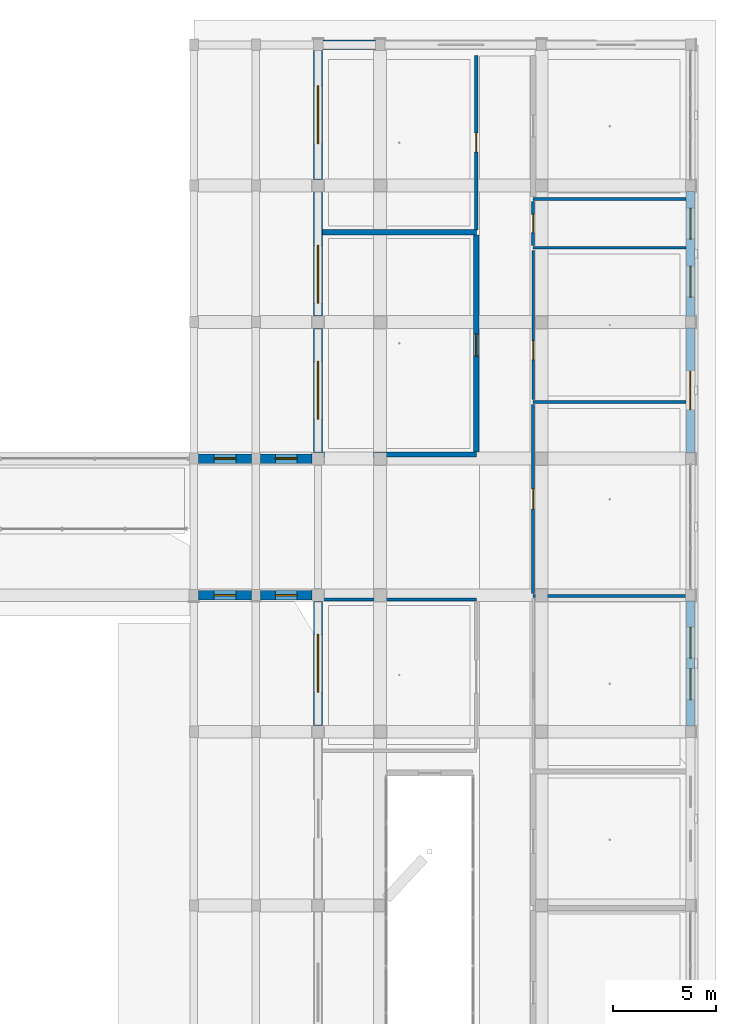
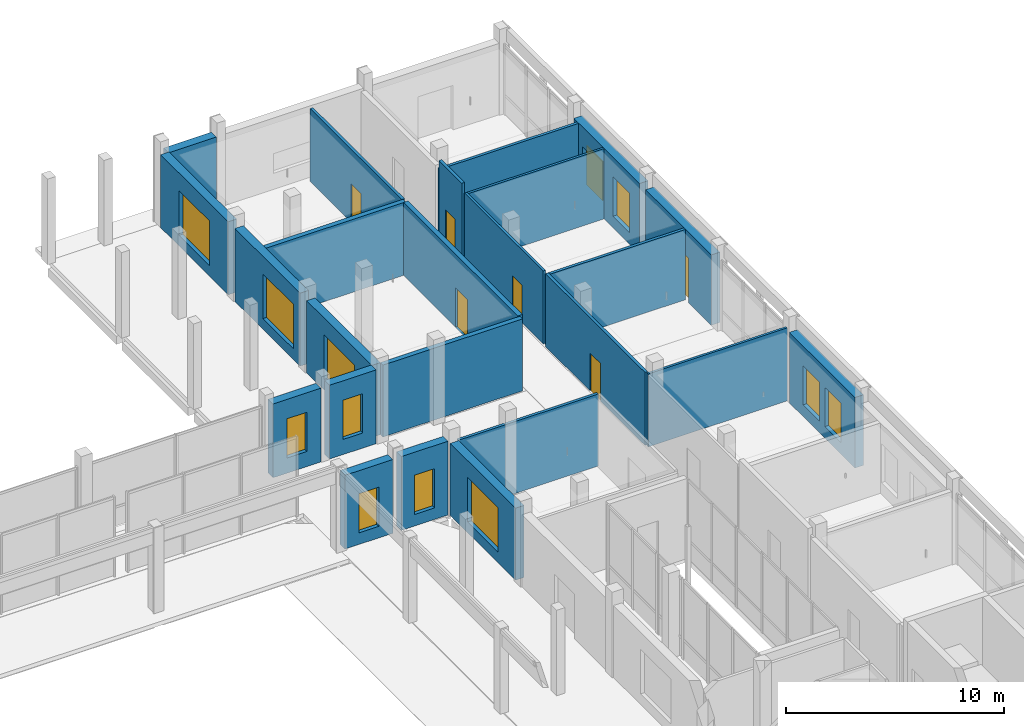
# One storey, part 55 of 88: 24 walls, 12 windows, 6 doors, 18 openings.
"""IFC4 building model written with IfcOpenShell, lengths in metres."""

from ifc_helpers import new_model, si_unit, derived_unit, direction, frame, frame_2d, origin, origin_with_axes, place, context, subcontext, project, spatial, rectangle, extrude, material, layer, layer_set, type_object, element, fill, save


model = new_model("IFC4")

# Units and contexts
model_context = context("Model", 3, precision=1e-05, world=origin(), true_north=direction((0.0, 1.0)))
body_context = subcontext(model_context, "Body", "Model", "MODEL_VIEW")
ifc_project = project(units=[si_unit("LENGTHUNIT", "METRE"), si_unit("AREAUNIT", "SQUARE_METRE"), si_unit("VOLUMEUNIT", "CUBIC_METRE"), si_unit("PLANEANGLEUNIT", "RADIAN"), si_unit("MASSUNIT", "GRAM", prefix="KILO"), derived_unit("THERMALTRANSMITTANCEUNIT", [(si_unit("POWERUNIT", "WATT"), 1), (si_unit("LENGTHUNIT", "METRE"), -2), (si_unit("THERMODYNAMICTEMPERATUREUNIT", "KELVIN"), -1)])], contexts=[model_context])

# Site, building, storey
site_placement = place(None, origin())
site = spatial("IfcSite", under=ifc_project, at=site_placement, CompositionType="ELEMENT")
building_placement = place(site_placement, origin())
building = spatial("IfcBuilding", under=site, at=building_placement, Name="Braskholm Square Health Centre", CompositionType="ELEMENT")
storey_placement = place(building_placement, origin())
storey = spatial("IfcBuildingStorey", under=building, at=storey_placement, Name="L01", CompositionType="ELEMENT", Elevation=0.0)

# Wall
ifc_material_1 = material(Name="Acoustic gypsum board partition")
ifc_layer_1 = layer(ifc_material_1, 0.125)
ifc_layer_set_1 = layer_set([ifc_layer_1], Name="Acoustic gypsum board partition")
wall_type_1 = type_object("IfcWallType", Name="ClinicalExamPartition125", PredefinedType="PARTITIONING", material=ifc_layer_set_1)
wall_1_placement = place(storey_placement, frame((156.199951171875, 87.159912109375, 0.0), z_axis=(0.0, 0.0, 1.0), x_axis=(1.0, 0.0, 0.0)))
element("IfcWall", 1, at=wall_1_placement, inside=storey, type_object=wall_type_1, Name="Interior partition PWALL-L01-0309", PredefinedType="PARTITIONING", context=body_context, shape_type="SweptSolid", body=[
    extrude(rectangle(XDim=7.375, YDim=0.125, at=frame_2d((3.6875, 0.0))), origin(), (0.0, 0.0, 1.0), 4.094970703125),
])

# Wall, opening, door
wall_2_placement = place(storey_placement, frame((156.199951171875, 96.64990234375, 0.0), z_axis=(0.0, 0.0, 1.0), x_axis=(0.0, 1.0, 0.0)))
wall_2 = element("IfcWall", 2, at=wall_2_placement, inside=storey, type_object=wall_type_1, Name="Interior partition PWALL-L01-0312", PredefinedType="PARTITIONING", context=body_context, shape_type="SweptSolid", body=[
    extrude(rectangle(XDim=7.22021484375, YDim=0.125, at=frame_2d((3.610107421875, 0.0))), origin(), (0.0, 0.0, 1.0), 4.094970703125),
])
opening_1_placement = place(wall_2_placement, frame((1.93896484375, 0.0, 0.0)))
opening_1 = element("IfcOpeningElement", 3, at=opening_1_placement, cuts=wall_2, Name="Opening D-07", PredefinedType="OPENING", context=body_context, shape_type="SweptSolid", body=[
    extrude(rectangle(XDim=0.89990234375, YDim=2.1201171875, at=frame_2d((0.449951171875, 1.06005859375))), frame((0.0, 0.072509765625, 0.0), z_axis=(0.0, -1.0, 0.0), x_axis=(1.0, 0.0, 0.0)), (0.0, 0.0, 1.0), 0.14501953125),
])
ifc_material_2 = material(Name="Architectural bronze anodised aluminium", Category="aluminium")
door_type_1 = type_object("IfcDoorType", Name="DoorProviderOffice900x2120", OperationType="NOTDEFINED", PredefinedType="DOOR", material=ifc_material_2)
door_1_placement = place(opening_1_placement, frame((0.89990234375, 0.0, 0.0), z_axis=(0.0, 0.0, 1.0), x_axis=(-1.0, 0.0, 0.0)))
door_1 = element("IfcDoor", 4, at=door_1_placement, inside=storey, type_object=door_type_1, Name="Interior door 0145 L01", OperationType="SINGLE_SWING_RIGHT", OverallHeight=2.1201171875, OverallWidth=0.89990234375, PredefinedType="DOOR", context=body_context, shape_type="SweptSolid", body=[
    extrude(rectangle(XDim=0.89990234375, YDim=2.1201171875, at=frame_2d((0.449951171875, 1.06005859375))), frame((0.0, 0.02490234375, 0.0), z_axis=(0.0, -1.0, 0.0), x_axis=(1.0, 0.0, 0.0)), (0.0, 0.0, 1.0), 0.050048828125),
])
fill(opening_1, door_1)

# Wall
wall_3_placement = place(storey_placement, frame((156.199951171875, 103.989990234375, 0.0), z_axis=(0.0, 0.0, 1.0), x_axis=(1.0, 0.0, 0.0)))
element("IfcWall", 5, at=wall_3_placement, inside=storey, type_object=wall_type_1, Name="Interior partition PWALL-L01-0313", PredefinedType="PARTITIONING", context=body_context, shape_type="SweptSolid", body=[
    extrude(rectangle(XDim=7.375, YDim=0.125, at=frame_2d((3.6875, 0.0))), origin(), (0.0, 0.0, 1.0), 3.945068359375),
])

# Wall, opening, door
ifc_layer_2 = layer(ifc_material_1, 0.14990234375)
ifc_layer_set_2 = layer_set([ifc_layer_2], Name="Acoustic gypsum board partition")
wall_type_2 = type_object("IfcWallType", Name="CorridorAcousticPartition150", PredefinedType="PARTITIONING", material=ifc_layer_set_2)
wall_4_placement = place(storey_placement, frame((156.199951171875, 87.280029296875, 0.0), z_axis=(0.0, 0.0, 1.0), x_axis=(0.0, 1.0, 0.0)))
wall_4 = element("IfcWall", 6, at=wall_4_placement, inside=storey, type_object=wall_type_2, Name="Interior partition PWALL-L01-0310", PredefinedType="PARTITIONING", context=body_context, shape_type="SweptSolid", body=[
    extrude(rectangle(XDim=9.1298828125, YDim=0.14990234375, at=frame_2d((4.56494140625, 0.0))), origin(), (0.0, 0.0, 1.0), 4.094970703125),
])
opening_2_placement = place(wall_4_placement, frame((4.074951171875, 0.0, 0.0)))
opening_2 = element("IfcOpeningElement", 7, at=opening_2_placement, cuts=wall_4, Name="Opening D-10", PredefinedType="OPENING", context=body_context, shape_type="SweptSolid", body=[
    extrude(rectangle(XDim=0.97998046875, YDim=2.1201171875, at=frame_2d((0.489990234375, 1.06005859375))), frame((0.0, 0.0849609375, 0.0), z_axis=(0.0, -1.0, 0.0), x_axis=(1.0, 0.0, 0.0)), (0.0, 0.0, 1.0), 0.169921875),
])
door_type_2 = type_object("IfcDoorType", Name="DoorUtilityStore980x2120", OperationType="NOTDEFINED", PredefinedType="DOOR", material=ifc_material_2)
door_2_placement = place(opening_2_placement, frame((0.97998046875, 0.0, 0.0), z_axis=(0.0, 0.0, 1.0), x_axis=(-1.0, 0.0, 0.0)))
door_2 = element("IfcDoor", 8, at=door_2_placement, inside=storey, type_object=door_type_2, Name="Interior door 0144 L01", OperationType="SINGLE_SWING_LEFT", OverallHeight=2.1201171875, OverallWidth=0.97998046875, PredefinedType="DOOR", context=body_context, shape_type="SweptSolid", body=[
    extrude(rectangle(XDim=0.97998046875, YDim=2.1201171875, at=frame_2d((0.489990234375, 1.06005859375))), frame((0.0, 0.02490234375, 0.0), z_axis=(0.0, -1.0, 0.0), x_axis=(1.0, 0.0, 0.0)), (0.0, 0.0, 1.0), 0.050048828125),
])
fill(opening_2, door_2)

# Wall
wall_5_placement = place(storey_placement, frame((156.199951171875, 96.530029296875, 0.0), z_axis=(0.0, 0.0, 1.0), x_axis=(1.0, 0.0, 0.0)))
element("IfcWall", 9, at=wall_5_placement, inside=storey, type_object=wall_type_2, Name="Interior partition PWALL-L01-0311", PredefinedType="PARTITIONING", context=body_context, shape_type="SweptSolid", body=[
    extrude(rectangle(XDim=7.375, YDim=0.14990234375, at=frame_2d((3.6875, 0.0))), origin(), (0.0, 0.0, 1.0), 3.945068359375),
])

# Wall, opening, door
wall_6_placement = place(storey_placement, frame((156.199951171875, 104.110107421875, 0.0), z_axis=(0.0, 0.0, 1.0), x_axis=(0.0, 1.0, 0.0)))
wall_6 = element("IfcWall", 10, at=wall_6_placement, inside=storey, type_object=wall_type_2, Name="Interior partition PWALL-L01-0314", PredefinedType="PARTITIONING", context=body_context, shape_type="SweptSolid", body=[
    extrude(rectangle(XDim=2.10986328125, YDim=0.14990234375, at=frame_2d((1.054931640625, 0.0))), origin(), (0.0, 0.0, 1.0), 4.4951171875),
])
opening_3_placement = place(wall_6_placement, frame((0.614990234375, 0.0, 0.0)))
opening_3 = element("IfcOpeningElement", 11, at=opening_3_placement, cuts=wall_6, Name="Opening D-06", PredefinedType="OPENING", context=body_context, shape_type="SweptSolid", body=[
    extrude(rectangle(XDim=0.8798828125, YDim=2.10009765625, at=frame_2d((0.43994140625, 1.050048828125))), frame((0.0, 0.0849609375, 0.0), z_axis=(0.0, -1.0, 0.0), x_axis=(1.0, 0.0, 0.0)), (0.0, 0.0, 1.0), 0.169921875),
])
door_type_3 = type_object("IfcDoorType", Name="DoorStaffWC880x2100", OperationType="NOTDEFINED", PredefinedType="DOOR", material=ifc_material_2)
door_3_placement = place(opening_3_placement, frame((0.8798828125, 0.0, 0.0), z_axis=(0.0, 0.0, 1.0), x_axis=(-1.0, 0.0, 0.0)))
door_3 = element("IfcDoor", 12, at=door_3_placement, inside=storey, type_object=door_type_3, Name="Interior door 0146 L01", OperationType="SINGLE_SWING_LEFT", OverallHeight=2.10009765625, OverallWidth=0.8798828125, PredefinedType="DOOR", context=body_context, shape_type="SweptSolid", body=[
    extrude(rectangle(XDim=0.8798828125, YDim=2.10009765625, at=frame_2d((0.43994140625, 1.050048828125))), frame((0.0, 0.02490234375, 0.0), z_axis=(0.0, -1.0, 0.0), x_axis=(1.0, 0.0, 0.0)), (0.0, 0.0, 1.0), 0.050048828125),
])
fill(opening_3, door_3)

# Walls
wall_7_placement = place(storey_placement, frame((156.199951171875, 106.340087890625, 0.0), z_axis=(0.0, 0.0, 1.0), x_axis=(1.0, 0.0, 0.0)))
element("IfcWall", 13, at=wall_7_placement, inside=storey, type_object=wall_type_2, Name="Interior partition PWALL-L01-0315", PredefinedType="PARTITIONING", context=body_context, shape_type="SweptSolid", body=[
    extrude(rectangle(XDim=7.375, YDim=0.14990234375, at=frame_2d((3.6875, 0.0))), origin(), (0.0, 0.0, 1.0), 3.945068359375),
])
wall_8_placement = place(storey_placement, frame((146.02490234375, 87.0, 0.0), z_axis=(0.0, 0.0, 1.0), x_axis=(1.0, 0.0, 0.0)))
element("IfcWall", 14, at=wall_8_placement, inside=storey, type_object=wall_type_2, Name="Interior partition PWALL-L01-0330", PredefinedType="PARTITIONING", context=body_context, shape_type="SweptSolid", body=[
    extrude(rectangle(XDim=7.425048828125, YDim=0.14990234375, at=frame_2d((3.71240234375, 0.0))), origin(), (0.0, 0.0, 1.0), 4.034912109375),
])

# Wall, opening, door
wall_9_placement = place(storey_placement, frame((153.449951171875, 104.860107421875, 0.0), z_axis=(0.0, 0.0, 1.0), x_axis=(0.0, 1.0, 0.0)))
wall_9 = element("IfcWall", 15, at=wall_9_placement, inside=storey, type_object=wall_type_2, Name="Interior partition PWALL-L01-0334", PredefinedType="PARTITIONING", context=body_context, shape_type="SweptSolid", body=[
    extrude(rectangle(XDim=8.419921875, YDim=0.14990234375, at=frame_2d((4.2099609375, 0.0))), origin(), (0.0, 0.0, 1.0), 4.094970703125),
])
opening_4_placement = place(wall_9_placement, frame((3.75, 0.0, 0.0)))
opening_4 = element("IfcOpeningElement", 16, at=opening_4_placement, cuts=wall_9, Name="Opening D-01", PredefinedType="OPENING", context=body_context, shape_type="SweptSolid", body=[
    extrude(rectangle(XDim=0.919921875, YDim=2.14990234375, at=frame_2d((0.4599609375, 1.074951171875))), frame((0.0, 0.0849609375, 0.0), z_axis=(0.0, -1.0, 0.0), x_axis=(1.0, 0.0, 0.0)), (0.0, 0.0, 1.0), 0.169921875),
])
door_type_4 = type_object("IfcDoorType", Name="DoorConsultSingle920x2150", OperationType="NOTDEFINED", PredefinedType="DOOR", material=ifc_material_2)
door_4_placement = place(opening_4_placement, origin_with_axes())
door_4 = element("IfcDoor", 17, at=door_4_placement, inside=storey, type_object=door_type_4, Name="Interior door 0155 L01", OperationType="SINGLE_SWING_RIGHT", OverallHeight=2.14990234375, OverallWidth=0.919921875, PredefinedType="DOOR", context=body_context, shape_type="SweptSolid", body=[
    extrude(rectangle(XDim=0.919921875, YDim=2.14990234375, at=frame_2d((0.4599609375, 1.074951171875))), frame((0.0, 0.02490234375, 0.0), z_axis=(0.0, -1.0, 0.0), x_axis=(1.0, 0.0, 0.0)), (0.0, 0.0, 1.0), 0.050048828125),
])
fill(opening_4, door_4)

# Wall, openings, windows
ifc_material_3 = material(Name="Mankato-Kasota dolomitic limestone ashlar", Category="masonry")
ifc_layer_3 = layer(ifc_material_3, 0.449951171875)
ifc_layer_set_3 = layer_set([ifc_layer_3], Name="Mankato-Kasota dolomitic limestone ashlar")
wall_type_3 = type_object("IfcWallType", Name="ExteriorKasotaWall450", PredefinedType="SOLIDWALL", material=ifc_layer_set_3)
wall_10_placement = place(storey_placement, frame((163.800048828125, 80.882080078125, 0.0), z_axis=(0.0, 0.0, 1.0), x_axis=(0.0, 1.0, 0.0)))
wall_10 = element("IfcWall", 18, at=wall_10_placement, inside=storey, type_object=wall_type_3, Name="Exterior wall EWALL-L01-0059", PredefinedType="SOLIDWALL", context=body_context, shape_type="SweptSolid", body=[
    extrude(rectangle(XDim=6.035888671875, YDim=0.449951171875, at=frame_2d((3.01806640625, 0.0))), origin(), (0.0, 0.0, 1.0), 3.949951171875),
])
opening_5_placement = place(wall_10_placement, frame((1.261962890625, 0.0, 0.64990234375)))
opening_5 = element("IfcOpeningElement", 19, at=opening_5_placement, cuts=wall_10, Name="Opening WN-03", PredefinedType="OPENING", context=body_context, shape_type="SweptSolid", body=[
    extrude(rectangle(XDim=1.5, YDim=2.199951171875, at=frame_2d((0.75, 1.10009765625))), frame((0.0, 0.23486328125, 0.0), z_axis=(0.0, -1.0, 0.0), x_axis=(1.0, 0.0, 0.0)), (0.0, 0.0, 1.0), 0.469970703125),
])
opening_6_placement = place(wall_10_placement, frame((3.27392578125, 0.0, 0.64990234375)))
opening_6 = element("IfcOpeningElement", 20, at=opening_6_placement, cuts=wall_10, Name="Opening WN-03", PredefinedType="OPENING", context=body_context, shape_type="SweptSolid", body=[
    extrude(rectangle(XDim=1.5, YDim=2.199951171875, at=frame_2d((0.75, 1.10009765625))), frame((0.0, 0.23486328125, 0.0), z_axis=(0.0, -1.0, 0.0), x_axis=(1.0, 0.0, 0.0)), (0.0, 0.0, 1.0), 0.469970703125),
])
ifc_material_4 = material(Name="Low-E triple insulating glass (VLT 0.64)", Category="glass")
window_type_1 = type_object("IfcWindowType", Name="WinArtDecoTwin1500x2200", PartitioningType="SINGLE_PANEL", PredefinedType="WINDOW", material=ifc_material_4)
window_1_placement = place(opening_5_placement, origin_with_axes())
window_1 = element("IfcWindow", 21, at=window_1_placement, inside=storey, type_object=window_type_1, Name="Exterior window 0102 L01", OverallHeight=2.199951171875, OverallWidth=1.5, PartitioningType="SINGLE_PANEL", PredefinedType="WINDOW", context=body_context, shape_type="SweptSolid", body=[
    extrude(rectangle(XDim=1.5, YDim=2.199951171875, at=frame_2d((0.75, 1.10009765625))), frame((0.0, 0.030029296875, 0.0), z_axis=(0.0, -1.0, 0.0), x_axis=(1.0, 0.0, 0.0)), (0.0, 0.0, 1.0), 0.06005859375),
])
fill(opening_5, window_1)
window_2_placement = place(opening_6_placement, origin_with_axes())
window_2 = element("IfcWindow", 22, at=window_2_placement, inside=storey, type_object=window_type_1, Name="Exterior window 0103 L01", OverallHeight=2.199951171875, OverallWidth=1.5, PartitioningType="SINGLE_PANEL", PredefinedType="WINDOW", context=body_context, shape_type="SweptSolid", body=[
    extrude(rectangle(XDim=1.5, YDim=2.199951171875, at=frame_2d((0.75, 1.10009765625))), frame((0.0, 0.030029296875, 0.0), z_axis=(0.0, -1.0, 0.0), x_axis=(1.0, 0.0, 0.0)), (0.0, 0.0, 1.0), 0.06005859375),
])
fill(opening_6, window_2)

# Wall, opening, door
wall_11_placement = place(storey_placement, frame((163.800048828125, 94.08203125, 0.0), z_axis=(0.0, 0.0, 1.0), x_axis=(0.0, 1.0, 0.0)))
wall_11 = element("IfcWall", 23, at=wall_11_placement, inside=storey, type_object=wall_type_3, Name="Exterior wall EWALL-L01-0060", PredefinedType="SOLIDWALL", context=body_context, shape_type="SweptSolid", body=[
    extrude(rectangle(XDim=6.035888671875, YDim=0.449951171875, at=frame_2d((3.01806640625, 0.0))), origin(), (0.0, 0.0, 1.0), 3.949951171875),
])
opening_7_placement = place(wall_11_placement, frame((2.087890625, 0.0, 0.0)))
opening_7 = element("IfcOpeningElement", 24, at=opening_7_placement, cuts=wall_11, Name="Opening D-E2", PredefinedType="OPENING", context=body_context, shape_type="SweptSolid", body=[
    extrude(rectangle(XDim=1.860107421875, YDim=2.5, at=frame_2d((0.93017578125, 1.25))), frame((0.0, 0.23486328125, 0.0), z_axis=(0.0, -1.0, 0.0), x_axis=(1.0, 0.0, 0.0)), (0.0, 0.0, 1.0), 0.469970703125),
])
door_type_5 = type_object("IfcDoorType", Name="DoorSquareEntrancePair1860x2500", OperationType="DOUBLE_DOOR_SINGLE_SWING", PredefinedType="DOOR", material=ifc_material_4)
door_5_placement = place(opening_7_placement, frame((1.860107421875, 0.0, 0.0), z_axis=(0.0, 0.0, 1.0), x_axis=(-1.0, 0.0, 0.0)))
door_5 = element("IfcDoor", 25, at=door_5_placement, inside=storey, type_object=door_type_5, Name="Exterior door 0006 L01", OperationType="DOUBLE_DOOR_SINGLE_SWING", OverallHeight=2.5, OverallWidth=1.860107421875, PredefinedType="DOOR", context=body_context, shape_type="SweptSolid", body=[
    extrude(rectangle(XDim=1.860107421875, YDim=2.5, at=frame_2d((0.93017578125, 1.25))), frame((0.0, 0.02490234375, 0.0), z_axis=(0.0, -1.0, 0.0), x_axis=(1.0, 0.0, 0.0)), (0.0, 0.0, 1.0), 0.050048828125),
])
fill(opening_7, door_5)

# Wall, openings, windows
wall_12_placement = place(storey_placement, frame((163.800048828125, 100.681884765625, 0.0), z_axis=(0.0, 0.0, 1.0), x_axis=(0.0, 1.0, 0.0)))
wall_12 = element("IfcWall", 26, at=wall_12_placement, inside=storey, type_object=wall_type_3, Name="Exterior wall EWALL-L01-0061", PredefinedType="SOLIDWALL", context=body_context, shape_type="SweptSolid", body=[
    extrude(rectangle(XDim=6.0361328125, YDim=0.449951171875, at=frame_2d((3.01806640625, 0.0))), origin(), (0.0, 0.0, 1.0), 3.949951171875),
])
opening_8_placement = place(wall_12_placement, frame((0.923095703125, 0.0, 0.64990234375)))
opening_8 = element("IfcOpeningElement", 27, at=opening_8_placement, cuts=wall_12, Name="Opening WN-03", PredefinedType="OPENING", context=body_context, shape_type="SweptSolid", body=[
    extrude(rectangle(XDim=1.5, YDim=2.199951171875, at=frame_2d((0.75, 1.10009765625))), frame((0.0, 0.23486328125, 0.0), z_axis=(0.0, -1.0, 0.0), x_axis=(1.0, 0.0, 0.0)), (0.0, 0.0, 1.0), 0.469970703125),
])
opening_9_placement = place(wall_12_placement, frame((3.72705078125, 0.0, 0.64990234375)))
opening_9 = element("IfcOpeningElement", 28, at=opening_9_placement, cuts=wall_12, Name="Opening WN-03", PredefinedType="OPENING", context=body_context, shape_type="SweptSolid", body=[
    extrude(rectangle(XDim=1.5, YDim=2.199951171875, at=frame_2d((0.75, 1.10009765625))), frame((0.0, 0.23486328125, 0.0), z_axis=(0.0, -1.0, 0.0), x_axis=(1.0, 0.0, 0.0)), (0.0, 0.0, 1.0), 0.469970703125),
])
window_3_placement = place(opening_8_placement, origin_with_axes())
window_3 = element("IfcWindow", 29, at=window_3_placement, inside=storey, type_object=window_type_1, Name="Exterior window 0104 L01", OverallHeight=2.199951171875, OverallWidth=1.5, PartitioningType="SINGLE_PANEL", PredefinedType="WINDOW", context=body_context, shape_type="SweptSolid", body=[
    extrude(rectangle(XDim=1.5, YDim=2.199951171875, at=frame_2d((0.75, 1.10009765625))), frame((0.0, 0.030029296875, 0.0), z_axis=(0.0, -1.0, 0.0), x_axis=(1.0, 0.0, 0.0)), (0.0, 0.0, 1.0), 0.06005859375),
])
fill(opening_8, window_3)
window_4_placement = place(opening_9_placement, origin_with_axes())
window_4 = element("IfcWindow", 30, at=window_4_placement, inside=storey, type_object=window_type_1, Name="Exterior window 0105 L01", OverallHeight=2.199951171875, OverallWidth=1.5, PartitioningType="SINGLE_PANEL", PredefinedType="WINDOW", context=body_context, shape_type="SweptSolid", body=[
    extrude(rectangle(XDim=1.5, YDim=2.199951171875, at=frame_2d((0.75, 1.10009765625))), frame((0.0, 0.030029296875, 0.0), z_axis=(0.0, -1.0, 0.0), x_axis=(1.0, 0.0, 0.0)), (0.0, 0.0, 1.0), 0.06005859375),
])
fill(opening_9, window_4)

# Wall, opening, window
wall_13_placement = place(storey_placement, frame((145.800048828125, 86.89794921875, 0.0), z_axis=(0.0, 0.0, 1.0), x_axis=(0.0, -1.0, 0.0)))
wall_13 = element("IfcWall", 31, at=wall_13_placement, inside=storey, type_object=wall_type_3, Name="Exterior wall EWALL-L01-0168", PredefinedType="SOLIDWALL", context=body_context, shape_type="SweptSolid", body=[
    extrude(rectangle(XDim=5.995849609375, YDim=0.449951171875, at=frame_2d((2.998046875, 0.0))), origin(), (0.0, 0.0, 1.0), 4.0400390625),
])
opening_10_placement = place(wall_13_placement, frame((1.597900390625, 0.0, 0.60009765625)))
opening_10 = element("IfcOpeningElement", 32, at=opening_10_placement, cuts=wall_13, Name="Opening WN-06", PredefinedType="OPENING", context=body_context, shape_type="SweptSolid", body=[
    extrude(rectangle(XDim=2.800048828125, YDim=2.5, at=frame_2d((1.39990234375, 1.25))), frame((0.0, 0.23486328125, 0.0), z_axis=(0.0, -1.0, 0.0), x_axis=(1.0, 0.0, 0.0)), (0.0, 0.0, 1.0), 0.469970703125),
])
window_type_2 = type_object("IfcWindowType", Name="WinStorefrontWide2800x2500", PartitioningType="SINGLE_PANEL", PredefinedType="WINDOW", material=ifc_material_4)
window_5_placement = place(opening_10_placement, origin_with_axes())
window_5 = element("IfcWindow", 33, at=window_5_placement, inside=storey, type_object=window_type_2, Name="Exterior window 0231 L01", OverallHeight=2.5, OverallWidth=2.800048828125, PartitioningType="SINGLE_PANEL", PredefinedType="WINDOW", context=body_context, shape_type="SweptSolid", body=[
    extrude(rectangle(XDim=2.800048828125, YDim=2.5, at=frame_2d((1.39990234375, 1.25))), frame((0.0, 0.030029296875, 0.0), z_axis=(0.0, -1.0, 0.0), x_axis=(1.0, 0.0, 0.0)), (0.0, 0.0, 1.0), 0.06005859375),
])
fill(opening_10, window_5)

wall_14_placement = place(storey_placement, frame((145.800048828125, 100.097900390625, 0.0), z_axis=(0.0, 0.0, 1.0), x_axis=(0.0, -1.0, 0.0)))
wall_14 = element("IfcWall", 34, at=wall_14_placement, inside=storey, type_object=wall_type_3, Name="Exterior wall EWALL-L01-0169", PredefinedType="SOLIDWALL", context=body_context, shape_type="SweptSolid", body=[
    extrude(rectangle(XDim=5.995849609375, YDim=0.449951171875, at=frame_2d((2.998046875, 0.0))), origin(), (0.0, 0.0, 1.0), 4.0400390625),
])
opening_11_placement = place(wall_14_placement, frame((1.597900390625, 0.0, 0.60009765625)))
opening_11 = element("IfcOpeningElement", 35, at=opening_11_placement, cuts=wall_14, Name="Opening WN-06", PredefinedType="OPENING", context=body_context, shape_type="SweptSolid", body=[
    extrude(rectangle(XDim=2.800048828125, YDim=2.5, at=frame_2d((1.39990234375, 1.25))), frame((0.0, 0.23486328125, 0.0), z_axis=(0.0, -1.0, 0.0), x_axis=(1.0, 0.0, 0.0)), (0.0, 0.0, 1.0), 0.469970703125),
])
window_6_placement = place(opening_11_placement, origin_with_axes())
window_6 = element("IfcWindow", 36, at=window_6_placement, inside=storey, type_object=window_type_2, Name="Exterior window 0232 L01", OverallHeight=2.5, OverallWidth=2.800048828125, PartitioningType="SINGLE_PANEL", PredefinedType="WINDOW", context=body_context, shape_type="SweptSolid", body=[
    extrude(rectangle(XDim=2.800048828125, YDim=2.5, at=frame_2d((1.39990234375, 1.25))), frame((0.0, 0.030029296875, 0.0), z_axis=(0.0, -1.0, 0.0), x_axis=(1.0, 0.0, 0.0)), (0.0, 0.0, 1.0), 0.06005859375),
])
fill(opening_11, window_6)

wall_15_placement = place(storey_placement, frame((145.800048828125, 106.697998046875, 0.0), z_axis=(0.0, 0.0, 1.0), x_axis=(0.0, -1.0, 0.0)))
wall_15 = element("IfcWall", 37, at=wall_15_placement, inside=storey, type_object=wall_type_3, Name="Exterior wall EWALL-L01-0170", PredefinedType="SOLIDWALL", context=body_context, shape_type="SweptSolid", body=[
    extrude(rectangle(XDim=5.99609375, YDim=0.449951171875, at=frame_2d((2.998046875, 0.0))), origin(), (0.0, 0.0, 1.0), 4.090087890625),
])
opening_12_placement = place(wall_15_placement, frame((2.590087890625, 0.0, 0.60009765625)))
opening_12 = element("IfcOpeningElement", 38, at=opening_12_placement, cuts=wall_15, Name="Opening WN-06", PredefinedType="OPENING", context=body_context, shape_type="SweptSolid", body=[
    extrude(rectangle(XDim=2.800048828125, YDim=2.5, at=frame_2d((1.39990234375, 1.25))), frame((0.0, 0.23486328125, 0.0), z_axis=(0.0, -1.0, 0.0), x_axis=(1.0, 0.0, 0.0)), (0.0, 0.0, 1.0), 0.469970703125),
])
window_7_placement = place(opening_12_placement, origin_with_axes())
window_7 = element("IfcWindow", 39, at=window_7_placement, inside=storey, type_object=window_type_2, Name="Exterior window 0233 L01", OverallHeight=2.5, OverallWidth=2.800048828125, PartitioningType="SINGLE_PANEL", PredefinedType="WINDOW", context=body_context, shape_type="SweptSolid", body=[
    extrude(rectangle(XDim=2.800048828125, YDim=2.5, at=frame_2d((1.39990234375, 1.25))), frame((0.0, 0.030029296875, 0.0), z_axis=(0.0, -1.0, 0.0), x_axis=(1.0, 0.0, 0.0)), (0.0, 0.0, 1.0), 0.06005859375),
])
fill(opening_12, window_7)

wall_16_placement = place(storey_placement, frame((145.800048828125, 113.51806640625, 0.0), z_axis=(0.0, 0.0, 1.0), x_axis=(0.0, -1.0, 0.0)))
wall_16 = element("IfcWall", 40, at=wall_16_placement, inside=storey, type_object=wall_type_3, Name="Exterior wall EWALL-L01-0171", PredefinedType="SOLIDWALL", context=body_context, shape_type="SweptSolid", body=[
    extrude(rectangle(XDim=6.216064453125, YDim=0.449951171875, at=frame_2d((3.10791015625, 0.0))), origin(), (0.0, 0.0, 1.0), 4.090087890625),
])
opening_13_placement = place(wall_16_placement, frame((1.7080078125, 0.0, 0.60009765625)))
opening_13 = element("IfcOpeningElement", 41, at=opening_13_placement, cuts=wall_16, Name="Opening WN-06", PredefinedType="OPENING", context=body_context, shape_type="SweptSolid", body=[
    extrude(rectangle(XDim=2.800048828125, YDim=2.5, at=frame_2d((1.39990234375, 1.25))), frame((0.0, 0.23486328125, 0.0), z_axis=(0.0, -1.0, 0.0), x_axis=(1.0, 0.0, 0.0)), (0.0, 0.0, 1.0), 0.469970703125),
])
window_8_placement = place(opening_13_placement, origin_with_axes())
window_8 = element("IfcWindow", 42, at=window_8_placement, inside=storey, type_object=window_type_2, Name="Exterior window 0234 L01", OverallHeight=2.5, OverallWidth=2.800048828125, PartitioningType="SINGLE_PANEL", PredefinedType="WINDOW", context=body_context, shape_type="SweptSolid", body=[
    extrude(rectangle(XDim=2.800048828125, YDim=2.5, at=frame_2d((1.39990234375, 1.25))), frame((0.0, 0.030029296875, 0.0), z_axis=(0.0, -1.0, 0.0), x_axis=(1.0, 0.0, 0.0)), (0.0, 0.0, 1.0), 0.06005859375),
])
fill(opening_13, window_8)

# Wall
wall_17_placement = place(storey_placement, frame((148.568115234375, 113.800048828125, 0.0), z_axis=(0.0, 0.0, 1.0), x_axis=(-1.0, 0.0, 0.0)))
element("IfcWall", 43, at=wall_17_placement, inside=storey, type_object=wall_type_3, Name="Exterior wall EWALL-L01-0247", PredefinedType="SOLIDWALL", context=body_context, shape_type="SweptSolid", body=[
    extrude(rectangle(XDim=2.5361328125, YDim=0.449951171875, at=frame_2d((1.26806640625, 0.0))), origin(), (0.0, 0.0, 1.0), 4.0),
])

# Wall, opening, window
wall_18_placement = place(storey_placement, frame((140.031982421875, 87.199951171875, 0.0), z_axis=(0.0, 0.0, 1.0), x_axis=(1.0, 0.0, 0.0)))
wall_18 = element("IfcWall", 44, at=wall_18_placement, inside=storey, type_object=wall_type_3, Name="Exterior wall EWALL-L01-0268", PredefinedType="SOLIDWALL", context=body_context, shape_type="SweptSolid", body=[
    extrude(rectangle(XDim=2.5458984375, YDim=0.449951171875, at=frame_2d((1.27294921875, 0.0))), origin(), (0.0, 0.0, 1.0), 4.139892578125),
])
opening_14_placement = place(wall_18_placement, frame((0.748046875, 0.0, 0.64990234375)))
opening_14 = element("IfcOpeningElement", 45, at=opening_14_placement, cuts=wall_18, Name="Opening WN-02", PredefinedType="OPENING", context=body_context, shape_type="SweptSolid", body=[
    extrude(rectangle(XDim=1.050048828125, YDim=2.199951171875, at=frame_2d((0.52490234375, 1.10009765625))), frame((0.0, 0.23486328125, 0.0), z_axis=(0.0, -1.0, 0.0), x_axis=(1.0, 0.0, 0.0)), (0.0, 0.0, 1.0), 0.469970703125),
])
window_type_3 = type_object("IfcWindowType", Name="WinArtDecoLancet1050x2200", PartitioningType="SINGLE_PANEL", PredefinedType="WINDOW", material=ifc_material_4)
window_9_placement = place(opening_14_placement, origin_with_axes())
window_9 = element("IfcWindow", 46, at=window_9_placement, inside=storey, type_object=window_type_3, Name="Exterior window 0315 L01", OverallHeight=2.199951171875, OverallWidth=1.050048828125, PartitioningType="SINGLE_PANEL", PredefinedType="WINDOW", context=body_context, shape_type="SweptSolid", body=[
    extrude(rectangle(XDim=1.050048828125, YDim=2.199951171875, at=frame_2d((0.52490234375, 1.10009765625))), frame((0.0, 0.030029296875, 0.0), z_axis=(0.0, -1.0, 0.0), x_axis=(1.0, 0.0, 0.0)), (0.0, 0.0, 1.0), 0.06005859375),
])
fill(opening_14, window_9)

wall_19_placement = place(storey_placement, frame((142.577880859375, 93.800048828125, 0.0), z_axis=(0.0, 0.0, 1.0), x_axis=(-1.0, 0.0, 0.0)))
wall_19 = element("IfcWall", 47, at=wall_19_placement, inside=storey, type_object=wall_type_3, Name="Exterior wall EWALL-L01-0271", PredefinedType="SOLIDWALL", context=body_context, shape_type="SweptSolid", body=[
    extrude(rectangle(XDim=2.555908203125, YDim=0.449951171875, at=frame_2d((1.27783203125, 0.0))), origin(), (0.0, 0.0, 1.0), 4.139892578125),
])
opening_15_placement = place(wall_19_placement, frame((0.7529296875, 0.0, 0.85009765625)))
opening_15 = element("IfcOpeningElement", 48, at=opening_15_placement, cuts=wall_19, Name="Opening WN-02", PredefinedType="OPENING", context=body_context, shape_type="SweptSolid", body=[
    extrude(rectangle(XDim=1.050048828125, YDim=2.199951171875, at=frame_2d((0.52490234375, 1.10009765625))), frame((0.0, 0.23486328125, 0.0), z_axis=(0.0, -1.0, 0.0), x_axis=(1.0, 0.0, 0.0)), (0.0, 0.0, 1.0), 0.469970703125),
])
window_10_placement = place(opening_15_placement, origin_with_axes())
window_10 = element("IfcWindow", 49, at=window_10_placement, inside=storey, type_object=window_type_3, Name="Exterior window 0318 L01", OverallHeight=2.199951171875, OverallWidth=1.050048828125, PartitioningType="SINGLE_PANEL", PredefinedType="WINDOW", context=body_context, shape_type="SweptSolid", body=[
    extrude(rectangle(XDim=1.050048828125, YDim=2.199951171875, at=frame_2d((0.52490234375, 1.10009765625))), frame((0.0, 0.030029296875, 0.0), z_axis=(0.0, -1.0, 0.0), x_axis=(1.0, 0.0, 0.0)), (0.0, 0.0, 1.0), 0.06005859375),
])
fill(opening_15, window_10)

wall_20_placement = place(storey_placement, frame((143.02197265625, 87.199951171875, 0.0), z_axis=(0.0, 0.0, 1.0), x_axis=(1.0, 0.0, 0.0)))
wall_20 = element("IfcWall", 50, at=wall_20_placement, inside=storey, type_object=wall_type_3, Name="Exterior wall EWALL-L01-0274", PredefinedType="SOLIDWALL", context=body_context, shape_type="SweptSolid", body=[
    extrude(rectangle(XDim=2.47607421875, YDim=0.449951171875, at=frame_2d((1.238037109375, 0.0))), origin(), (0.0, 0.0, 1.0), 4.139892578125),
])
opening_16_placement = place(wall_20_placement, frame((0.712890625, 0.0, 0.64990234375)))
opening_16 = element("IfcOpeningElement", 51, at=opening_16_placement, cuts=wall_20, Name="Opening WN-02", PredefinedType="OPENING", context=body_context, shape_type="SweptSolid", body=[
    extrude(rectangle(XDim=1.050048828125, YDim=2.199951171875, at=frame_2d((0.52490234375, 1.10009765625))), frame((0.0, 0.23486328125, 0.0), z_axis=(0.0, -1.0, 0.0), x_axis=(1.0, 0.0, 0.0)), (0.0, 0.0, 1.0), 0.469970703125),
])
window_11_placement = place(opening_16_placement, origin_with_axes())
window_11 = element("IfcWindow", 52, at=window_11_placement, inside=storey, type_object=window_type_3, Name="Exterior window 0321 L01", OverallHeight=2.199951171875, OverallWidth=1.050048828125, PartitioningType="SINGLE_PANEL", PredefinedType="WINDOW", context=body_context, shape_type="SweptSolid", body=[
    extrude(rectangle(XDim=1.050048828125, YDim=2.199951171875, at=frame_2d((0.52490234375, 1.10009765625))), frame((0.0, 0.030029296875, 0.0), z_axis=(0.0, -1.0, 0.0), x_axis=(1.0, 0.0, 0.0)), (0.0, 0.0, 1.0), 0.06005859375),
])
fill(opening_16, window_11)

wall_21_placement = place(storey_placement, frame((145.498046875, 93.800048828125, 0.0), z_axis=(0.0, 0.0, 1.0), x_axis=(-1.0, 0.0, 0.0)))
wall_21 = element("IfcWall", 53, at=wall_21_placement, inside=storey, type_object=wall_type_3, Name="Exterior wall EWALL-L01-0277", PredefinedType="SOLIDWALL", context=body_context, shape_type="SweptSolid", body=[
    extrude(rectangle(XDim=2.47607421875, YDim=0.449951171875, at=frame_2d((1.238037109375, 0.0))), origin(), (0.0, 0.0, 1.0), 4.139892578125),
])
opening_17_placement = place(wall_21_placement, frame((0.712890625, 0.0, 0.85009765625)))
opening_17 = element("IfcOpeningElement", 54, at=opening_17_placement, cuts=wall_21, Name="Opening WN-02", PredefinedType="OPENING", context=body_context, shape_type="SweptSolid", body=[
    extrude(rectangle(XDim=1.050048828125, YDim=2.199951171875, at=frame_2d((0.52490234375, 1.10009765625))), frame((0.0, 0.23486328125, 0.0), z_axis=(0.0, -1.0, 0.0), x_axis=(1.0, 0.0, 0.0)), (0.0, 0.0, 1.0), 0.469970703125),
])
window_12_placement = place(opening_17_placement, origin_with_axes())
window_12 = element("IfcWindow", 55, at=window_12_placement, inside=storey, type_object=window_type_3, Name="Exterior window 0324 L01", OverallHeight=2.199951171875, OverallWidth=1.050048828125, PartitioningType="SINGLE_PANEL", PredefinedType="WINDOW", context=body_context, shape_type="SweptSolid", body=[
    extrude(rectangle(XDim=1.050048828125, YDim=2.199951171875, at=frame_2d((0.52490234375, 1.10009765625))), frame((0.0, 0.030029296875, 0.0), z_axis=(0.0, -1.0, 0.0), x_axis=(1.0, 0.0, 0.0)), (0.0, 0.0, 1.0), 0.06005859375),
])
fill(opening_17, window_12)

# Wall, opening, door
ifc_material_5 = material(Name="Concrete C35/45 (f'c = 35 MPa)", Category="concrete")
ifc_layer_4 = layer(ifc_material_5, 0.25)
ifc_layer_set_4 = layer_set([ifc_layer_4], Name="Concrete C35/45 (f'c = 35 MPa)")
wall_type_4 = type_object("IfcWallType", Name="FireBarrierWall250", PredefinedType="SOLIDWALL", material=ifc_layer_set_4)
wall_22_placement = place(storey_placement, frame((153.449951171875, 94.1201171875, 0.0), z_axis=(0.0, 0.0, 1.0), x_axis=(0.0, 1.0, 0.0)))
wall_22 = element("IfcWall", 56, at=wall_22_placement, inside=storey, type_object=wall_type_4, Name="Interior partition PWALL-L01-0331", PredefinedType="SOLIDWALL", context=body_context, shape_type="SweptSolid", body=[
    extrude(rectangle(XDim=10.5, YDim=0.25, at=frame_2d((5.25, 0.0))), origin(), (0.0, 0.0, 1.0), 4.094970703125),
])
opening_18_placement = place(wall_22_placement, frame((4.635009765625, 0.0, 0.0)))
opening_18 = element("IfcOpeningElement", 57, at=opening_18_placement, cuts=wall_22, Name="Opening D-13", PredefinedType="OPENING", context=body_context, shape_type="SweptSolid", body=[
    extrude(rectangle(XDim=1.080078125, YDim=2.199951171875, at=frame_2d((0.5400390625, 1.10009765625))), frame((0.0, 0.135009765625, 0.0), z_axis=(0.0, -1.0, 0.0), x_axis=(1.0, 0.0, 0.0)), (0.0, 0.0, 1.0), 0.27001953125),
])
door_type_6 = type_object("IfcDoorType", Name="DoorPharmacySecure1080x2200", OperationType="NOTDEFINED", PredefinedType="DOOR", material=ifc_material_2)
door_6_placement = place(opening_18_placement, origin_with_axes())
door_6 = element("IfcDoor", 58, at=door_6_placement, inside=storey, type_object=door_type_6, Name="Interior door 0154 L01", OperationType="SINGLE_SWING_LEFT", OverallHeight=2.199951171875, OverallWidth=1.080078125, PredefinedType="DOOR", context=body_context, shape_type="SweptSolid", body=[
    extrude(rectangle(XDim=1.080078125, YDim=2.199951171875, at=frame_2d((0.5400390625, 1.10009765625))), frame((0.0, 0.02490234375, 0.0), z_axis=(0.0, -1.0, 0.0), x_axis=(1.0, 0.0, 0.0)), (0.0, 0.0, 1.0), 0.050048828125),
])
fill(opening_18, door_6)

# Walls
wall_23_placement = place(storey_placement, frame((146.02490234375, 94.0, 0.0), z_axis=(0.0, 0.0, 1.0), x_axis=(1.0, 0.0, 0.0)))
element("IfcWall", 59, at=wall_23_placement, inside=storey, type_object=wall_type_4, Name="Interior partition PWALL-L01-0332", PredefinedType="SOLIDWALL", context=body_context, shape_type="SweptSolid", body=[
    extrude(rectangle(XDim=7.425048828125, YDim=0.25, at=frame_2d((3.71240234375, 0.0))), origin(), (0.0, 0.0, 1.0), 4.034912109375),
])
wall_24_placement = place(storey_placement, frame((146.02490234375, 104.739990234375, 0.0), z_axis=(0.0, 0.0, 1.0), x_axis=(1.0, 0.0, 0.0)))
element("IfcWall", 60, at=wall_24_placement, inside=storey, type_object=wall_type_4, Name="Interior partition PWALL-L01-0333", PredefinedType="SOLIDWALL", context=body_context, shape_type="SweptSolid", body=[
    extrude(rectangle(XDim=7.425048828125, YDim=0.25, at=frame_2d((3.71240234375, 0.0))), origin(), (0.0, 0.0, 1.0), 4.0849609375),
])

save(model, "model.ifc")
